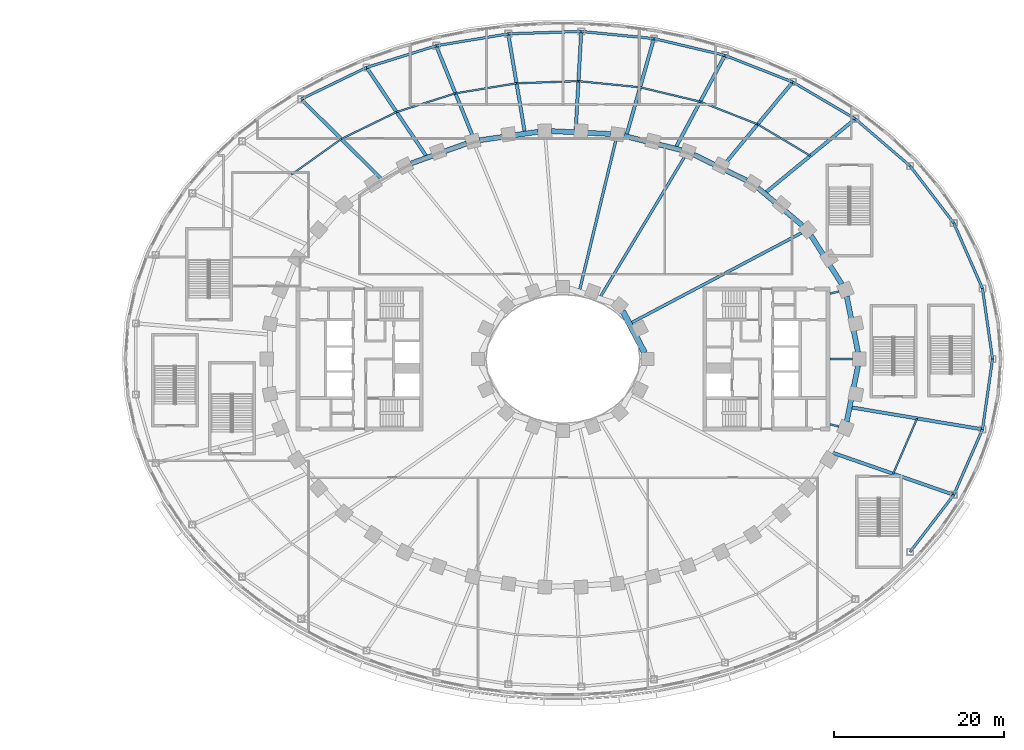
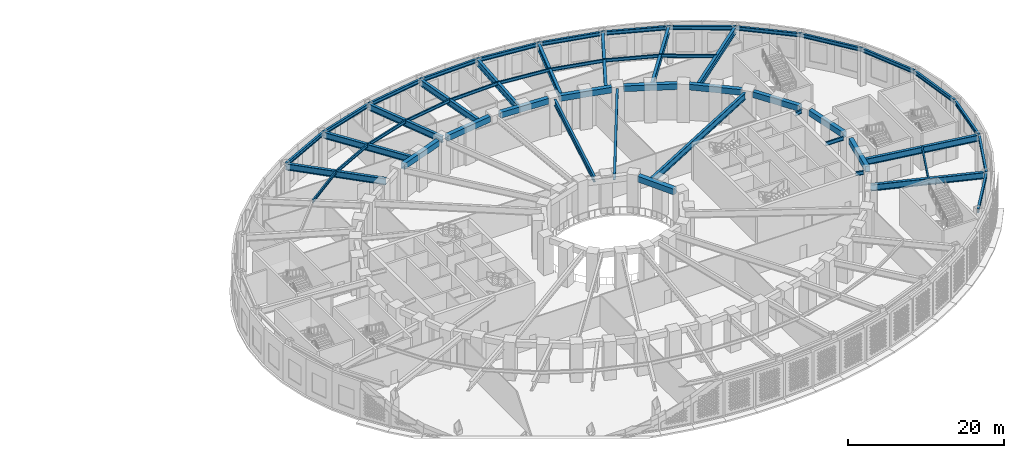
# One storey, part 13 of 74: 52 beams.
"""IFC4 building model written with IfcOpenShell, lengths in metres."""

from ifc_helpers import new_model, si_unit, direction, frame, origin, origin_2d, place, context, subcontext, project, spatial, rectangle, i_section, extrude, material, material_profile, profile_set, type_object, element, save


model = new_model("IFC4")

# Units and contexts
model_context = context("Model", 3, precision=1e-05, world=origin(), true_north=direction((0.0, 1.0)))
body_context = subcontext(model_context, "Body", "Model", "MODEL_VIEW")
ifc_project = project(units=[si_unit("LENGTHUNIT", "METRE"), si_unit("AREAUNIT", "SQUARE_METRE"), si_unit("VOLUMEUNIT", "CUBIC_METRE"), si_unit("PLANEANGLEUNIT", "RADIAN"), si_unit("MASSUNIT", "GRAM", prefix="KILO")], contexts=[model_context])

# Site, building, storey
site_placement = place(None, origin())
site = spatial("IfcSite", under=ifc_project, at=site_placement, CompositionType="ELEMENT")
building_placement = place(site_placement, origin())
building = spatial("IfcBuilding", under=site, at=building_placement, Name="Noorbagh Ring Tower", CompositionType="ELEMENT")
storey_placement = place(building_placement, frame((0.0, 0.0, 13.5)))
storey = spatial("IfcBuildingStorey", under=building, at=storey_placement, Name="L02", CompositionType="ELEMENT", Elevation=13.5)

# Beams
ifc_material_1 = material(Name="Steel S355", Category="steel")
ifc_material_profile_1 = material_profile(ifc_material_1, i_section(OverallWidth=0.300048828125, OverallDepth=0.60009765625, WebThickness=0.015380859375, FlangeThickness=0.030029296875, FilletRadius=0.027099609375, at=origin_2d()), Name="HEB600")
ifc_profile_set_1 = profile_set([ifc_material_profile_1], Name="Steel S355")
beam_type_1 = type_object("IfcBeamType", Name="GND-EDGE-BEAM-HEB600", PredefinedType="BEAM", material=ifc_profile_set_1)
beam_1_placement = place(storey_placement, frame((50.646484375, 0.0, 5.449951171875), z_axis=(-0.14132764164, 0.989962876934, 0.0), x_axis=(-0.989962876934, -0.14132764164, 0.0)))
element("IfcBeam", 1, at=beam_1_placement, inside=storey, type_object=beam_type_1, Name="L02/bm/ERP-01", PredefinedType="BEAM", context=body_context, shape_type="SweptSolid", body=[
    extrude(i_section(OverallWidth=0.300048828125, OverallDepth=0.60009765625, WebThickness=0.015380859375, FlangeThickness=0.030029296875, FilletRadius=0.027099609375, at=origin_2d()), origin(), (0.0, 0.0, 1.0), 8.388671875),
])
beam_2_placement = place(storey_placement, frame((49.4609375, 8.304443359375, 5.449951171875), z_axis=(-0.401171506371, 0.916002959862, 0.0), x_axis=(-0.916002959862, -0.401171506371, 0.0)))
element("IfcBeam", 2, at=beam_2_placement, inside=storey, type_object=beam_type_1, Name="L02/bm/ERP-02", PredefinedType="BEAM", context=body_context, shape_type="SweptSolid", body=[
    extrude(i_section(OverallWidth=0.300048828125, OverallDepth=0.60009765625, WebThickness=0.015380859375, FlangeThickness=0.030029296875, FilletRadius=0.027099609375, at=origin_2d()), origin(), (0.0, 0.0, 1.0), 8.42431640625),
])
beam_3_placement = place(storey_placement, frame((46.081298828125, 16.021240234375, 5.449951171875), z_axis=(-0.608048680374, 0.793899743227, 0.0), x_axis=(-0.793899743227, -0.608048680374, 0.0)))
element("IfcBeam", 3, at=beam_3_placement, inside=storey, type_object=beam_type_1, Name="L02/bm/ERP-03", PredefinedType="BEAM", context=body_context, shape_type="SweptSolid", body=[
    extrude(i_section(OverallWidth=0.300048828125, OverallDepth=0.60009765625, WebThickness=0.015380859375, FlangeThickness=0.030029296875, FilletRadius=0.027099609375, at=origin_2d()), origin(), (0.0, 0.0, 1.0), 8.4755859375),
])
beam_4_placement = place(storey_placement, frame((40.927734375, 22.75, 5.449951171875), z_axis=(-0.758254861469, 0.651958254076, 0.0), x_axis=(-0.651958254076, -0.758254861469, 0.0)))
element("IfcBeam", 4, at=beam_4_placement, inside=storey, type_object=beam_type_1, Name="L02/bm/ERP-04", PredefinedType="BEAM", context=body_context, shape_type="SweptSolid", body=[
    extrude(i_section(OverallWidth=0.300048828125, OverallDepth=0.60009765625, WebThickness=0.015380859375, FlangeThickness=0.030029296875, FilletRadius=0.027099609375, at=origin_2d()), origin(), (0.0, 0.0, 1.0), 8.5234375),
])
beam_5_placement = place(storey_placement, frame((34.46484375, 28.306884765625, 5.449951171875), z_axis=(-0.8618652907, 0.507137279922, 0.0), x_axis=(-0.507137279922, -0.8618652907, 0.0)))
element("IfcBeam", 5, at=beam_5_placement, inside=storey, type_object=beam_type_1, Name="L02/bm/ERP-05", PredefinedType="BEAM", context=body_context, shape_type="SweptSolid", body=[
    extrude(i_section(OverallWidth=0.300048828125, OverallDepth=0.60009765625, WebThickness=0.015380859375, FlangeThickness=0.030029296875, FilletRadius=0.027099609375, at=origin_2d()), origin(), (0.0, 0.0, 1.0), 8.560302734375),
])
beam_6_placement = place(storey_placement, frame((27.0869140625, 32.648193359375, 5.449951171875), z_axis=(-0.930571668723, 0.366109777758, 0.0), x_axis=(-0.366109777758, -0.930571668723, 0.0)))
element("IfcBeam", 6, at=beam_6_placement, inside=storey, type_object=beam_type_1, Name="L02/bm/ERP-06", PredefinedType="BEAM", context=body_context, shape_type="SweptSolid", body=[
    extrude(i_section(OverallWidth=0.300048828125, OverallDepth=0.60009765625, WebThickness=0.015380859375, FlangeThickness=0.030029296875, FilletRadius=0.027099609375, at=origin_2d()), origin(), (0.0, 0.0, 1.0), 8.58642578125),
])
beam_7_placement = place(storey_placement, frame((19.0966796875, 35.791748046875, 5.449951171875), z_axis=(-0.973167977411, 0.230095822957, 0.0), x_axis=(-0.230095822957, -0.973167977411, 0.0)))
element("IfcBeam", 7, at=beam_7_placement, inside=storey, type_object=beam_type_1, Name="L02/bm/ERP-07", PredefinedType="BEAM", context=body_context, shape_type="SweptSolid", body=[
    extrude(i_section(OverallWidth=0.300048828125, OverallDepth=0.60009765625, WebThickness=0.015380859375, FlangeThickness=0.030029296875, FilletRadius=0.027099609375, at=origin_2d()), origin(), (0.0, 0.0, 1.0), 8.602783203125),
])
beam_8_placement = place(storey_placement, frame((10.724609375, 37.771240234375, 5.449951171875), z_axis=(-0.9951967317, 0.097895174616, 0.0), x_axis=(-0.097895174616, -0.9951967317, 0.0)))
element("IfcBeam", 8, at=beam_8_placement, inside=storey, type_object=beam_type_1, Name="L02/bm/ERP-08", PredefinedType="BEAM", context=body_context, shape_type="SweptSolid", body=[
    extrude(i_section(OverallWidth=0.300048828125, OverallDepth=0.60009765625, WebThickness=0.015380859375, FlangeThickness=0.030029296875, FilletRadius=0.027099609375, at=origin_2d()), origin(), (0.0, 0.0, 1.0), 8.611328125),
])
beam_9_placement = place(storey_placement, frame((2.154541015625, 38.6142578125, 5.449951171875), z_axis=(-0.999468589483, -0.032596604688, 0.0), x_axis=(0.032596604688, -0.999468589483, 0.0)))
element("IfcBeam", 9, at=beam_9_placement, inside=storey, type_object=beam_type_1, Name="L02/bm/ERP-09", PredefinedType="BEAM", context=body_context, shape_type="SweptSolid", body=[
    extrude(i_section(OverallWidth=0.300048828125, OverallDepth=0.60009765625, WebThickness=0.015380859375, FlangeThickness=0.030029296875, FilletRadius=0.027099609375, at=origin_2d()), origin(), (0.0, 0.0, 1.0), 8.61328125),
])
beam_10_placement = place(storey_placement, frame((-6.4541015625, 38.33349609375, 5.449951171875), z_axis=(-0.986523163949, -0.163621658075, 0.0), x_axis=(0.163621658075, -0.986523163949, 0.0)))
element("IfcBeam", 10, at=beam_10_placement, inside=storey, type_object=beam_type_1, Name="L02/bm/ERP-10", PredefinedType="BEAM", context=body_context, shape_type="SweptSolid", body=[
    extrude(i_section(OverallWidth=0.300048828125, OverallDepth=0.60009765625, WebThickness=0.015380859375, FlangeThickness=0.030029296875, FilletRadius=0.027099609375, at=origin_2d()), origin(), (0.0, 0.0, 1.0), 8.60791015625),
])
beam_11_placement = place(storey_placement, frame((-14.946044921875, 36.925048828125, 5.449951171875), z_axis=(-0.954717204091, -0.297514806713, 0.0), x_axis=(0.297514806713, -0.954717204091, 0.0)))
element("IfcBeam", 11, at=beam_11_placement, inside=storey, type_object=beam_type_1, Name="L02/bm/ERP-11", PredefinedType="BEAM", context=body_context, shape_type="SweptSolid", body=[
    extrude(i_section(OverallWidth=0.300048828125, OverallDepth=0.60009765625, WebThickness=0.015380859375, FlangeThickness=0.030029296875, FilletRadius=0.027099609375, at=origin_2d()), origin(), (0.0, 0.0, 1.0), 8.595703125),
])
beam_12_placement = place(storey_placement, frame((-23.152587890625, 34.36767578125, 5.449951171875), z_axis=(-0.89994920641, -0.435994754421, 0.0), x_axis=(0.435994754421, -0.89994920641, 0.0)))
element("IfcBeam", 12, at=beam_12_placement, inside=storey, type_object=beam_type_1, Name="L02/bm/ERP-12", PredefinedType="BEAM", context=body_context, shape_type="SweptSolid", body=[
    extrude(i_section(OverallWidth=0.300048828125, OverallDepth=0.60009765625, WebThickness=0.015380859375, FlangeThickness=0.030029296875, FilletRadius=0.027099609375, at=origin_2d()), origin(), (0.0, 0.0, 1.0), 8.57470703125),
])
beam_13_placement = place(storey_placement, frame((40.927734375, -22.75, 5.449951171875), z_axis=(0.608048680374, 0.793899743227, 0.0), x_axis=(-0.793899743227, 0.608048680374, 0.0)))
element("IfcBeam", 13, at=beam_13_placement, inside=storey, type_object=beam_type_1, Name="L02/bm/ERP-31", PredefinedType="BEAM", context=body_context, shape_type="SweptSolid", body=[
    extrude(i_section(OverallWidth=0.300048828125, OverallDepth=0.60009765625, WebThickness=0.015380859375, FlangeThickness=0.030029296875, FilletRadius=0.027099609375, at=origin_2d()), origin(), (0.0, 0.0, 1.0), 8.4755859375),
])
beam_14_placement = place(storey_placement, frame((46.081298828125, -16.021240234375, 5.449951171875), z_axis=(0.401171506371, 0.916002959862, 0.0), x_axis=(-0.916002959862, 0.401171506371, 0.0)))
element("IfcBeam", 14, at=beam_14_placement, inside=storey, type_object=beam_type_1, Name="L02/bm/ERP-32", PredefinedType="BEAM", context=body_context, shape_type="SweptSolid", body=[
    extrude(i_section(OverallWidth=0.300048828125, OverallDepth=0.60009765625, WebThickness=0.015380859375, FlangeThickness=0.030029296875, FilletRadius=0.027099609375, at=origin_2d()), origin(), (0.0, 0.0, 1.0), 8.42431640625),
])
beam_15_placement = place(storey_placement, frame((49.4609375, -8.304443359375, 5.449951171875), z_axis=(0.14132764164, 0.989962876934, 0.0), x_axis=(-0.989962876934, 0.14132764164, 0.0)))
element("IfcBeam", 15, at=beam_15_placement, inside=storey, type_object=beam_type_1, Name="L02/bm/ERP-33", PredefinedType="BEAM", context=body_context, shape_type="SweptSolid", body=[
    extrude(i_section(OverallWidth=0.300048828125, OverallDepth=0.60009765625, WebThickness=0.015380859375, FlangeThickness=0.030029296875, FilletRadius=0.027099609375, at=origin_2d()), origin(), (0.0, 0.0, 1.0), 8.388671875),
])
ifc_material_2 = material(Name="Steel S355", Category="steel")
ifc_material_profile_2 = material_profile(ifc_material_2, i_section(OverallWidth=0.39990234375, OverallDepth=1.0, WebThickness=0.01611328125, FlangeThickness=0.0400390625, at=origin_2d()), Name="PG1000x400x16x40")
ifc_profile_set_2 = profile_set([ifc_material_profile_2], Name="Steel S355")
beam_type_2 = type_object("IfcBeamType", Name="GND-GIRDER-PG1000x400x16x40", PredefinedType="BEAM", material=ifc_profile_set_2)
beam_16_placement = place(storey_placement, frame((34.46484375, 28.306884765625, 5.25), z_axis=(-0.772763025599, -0.63469465593, 0.0), x_axis=(0.63469465593, -0.772763025599, 0.0)))
element("IfcBeam", 16, at=beam_16_placement, inside=storey, type_object=beam_type_2, Name="L02/bm/GRP-05", PredefinedType="BEAM", context=body_context, shape_type="SweptSolid", body=[
    extrude(i_section(OverallWidth=0.39990234375, OverallDepth=1.0, WebThickness=0.01611328125, FlangeThickness=0.0400390625, at=origin_2d()), origin(), (0.0, 0.0, 1.0), 13.723388671875),
])
beam_17_placement = place(storey_placement, frame((27.0869140625, 32.648193359375, 5.25), z_axis=(-0.638516852805, -0.769607840841, 0.0), x_axis=(0.769607840841, -0.638516852805, 0.0)))
element("IfcBeam", 17, at=beam_17_placement, inside=storey, type_object=beam_type_2, Name="L02/bm/GRP-06", PredefinedType="BEAM", context=body_context, shape_type="SweptSolid", body=[
    extrude(i_section(OverallWidth=0.39990234375, OverallDepth=1.0, WebThickness=0.01611328125, FlangeThickness=0.0400390625, at=origin_2d()), origin(), (0.0, 0.0, 1.0), 12.943603515625),
])
beam_18_placement = place(storey_placement, frame((19.0966796875, 35.791748046875, 5.25), z_axis=(-0.470746944877, -0.88226827773, 0.0), x_axis=(0.88226827773, -0.470746944877, 0.0)))
element("IfcBeam", 18, at=beam_18_placement, inside=storey, type_object=beam_type_2, Name="L02/bm/GRP-07", PredefinedType="BEAM", context=body_context, shape_type="SweptSolid", body=[
    extrude(i_section(OverallWidth=0.39990234375, OverallDepth=1.0, WebThickness=0.01611328125, FlangeThickness=0.0400390625, at=origin_2d()), origin(), (0.0, 0.0, 1.0), 12.375),
])
beam_19_placement = place(storey_placement, frame((10.724609375, 37.771240234375, 5.25), z_axis=(-0.273130016452, -0.961977127645, 0.0), x_axis=(0.961977127645, -0.273130016452, 0.0)))
element("IfcBeam", 19, at=beam_19_placement, inside=storey, type_object=beam_type_2, Name="L02/bm/GRP-08", PredefinedType="BEAM", context=body_context, shape_type="SweptSolid", body=[
    extrude(i_section(OverallWidth=0.39990234375, OverallDepth=1.0, WebThickness=0.01611328125, FlangeThickness=0.0400390625, at=origin_2d()), origin(), (0.0, 0.0, 1.0), 11.939208984375),
])
beam_20_placement = place(storey_placement, frame((2.154541015625, 38.6142578125, 5.25), z_axis=(-0.055716608816, -0.998446623261, 0.0), x_axis=(0.998446623261, -0.055716608816, 0.0)))
element("IfcBeam", 20, at=beam_20_placement, inside=storey, type_object=beam_type_2, Name="L02/bm/GRP-09", PredefinedType="BEAM", context=body_context, shape_type="SweptSolid", body=[
    extrude(i_section(OverallWidth=0.39990234375, OverallDepth=1.0, WebThickness=0.01611328125, FlangeThickness=0.0400390625, at=origin_2d()), origin(), (0.0, 0.0, 1.0), 11.734619140625),
])
beam_21_placement = place(storey_placement, frame((-6.4541015625, 38.33349609375, 5.25), z_axis=(0.166032765637, -0.986120236449, 0.0), x_axis=(0.986120236449, 0.166032765637, 0.0)))
element("IfcBeam", 21, at=beam_21_placement, inside=storey, type_object=beam_type_2, Name="L02/bm/GRP-10", PredefinedType="BEAM", context=body_context, shape_type="SweptSolid", body=[
    extrude(i_section(OverallWidth=0.39990234375, OverallDepth=1.0, WebThickness=0.01611328125, FlangeThickness=0.0400390625, at=origin_2d()), origin(), (0.0, 0.0, 1.0), 11.82373046875),
])
beam_22_placement = place(storey_placement, frame((-14.946044921875, 36.925048828125, 5.25), z_axis=(0.375201842514, -0.926943135998, 0.0), x_axis=(0.926943135998, 0.375201842514, 0.0)))
element("IfcBeam", 22, at=beam_22_placement, inside=storey, type_object=beam_type_2, Name="L02/bm/GRP-11", PredefinedType="BEAM", context=body_context, shape_type="SweptSolid", body=[
    extrude(i_section(OverallWidth=0.39990234375, OverallDepth=1.0, WebThickness=0.01611328125, FlangeThickness=0.0400390625, at=origin_2d()), origin(), (0.0, 0.0, 1.0), 12.094970703125),
])
beam_23_placement = place(storey_placement, frame((-23.152587890625, 34.36767578125, 5.25), z_axis=(0.558711358029, -0.829362175656, 0.0), x_axis=(0.829362175656, 0.558711358029, 0.0)))
element("IfcBeam", 23, at=beam_23_placement, inside=storey, type_object=beam_type_2, Name="L02/bm/GRP-12", PredefinedType="BEAM", context=body_context, shape_type="SweptSolid", body=[
    extrude(i_section(OverallWidth=0.39990234375, OverallDepth=1.0, WebThickness=0.01611328125, FlangeThickness=0.0400390625, at=origin_2d()), origin(), (0.0, 0.0, 1.0), 12.6630859375),
])
beam_24_placement = place(storey_placement, frame((-30.869384765625, 30.629150390625, 5.25), z_axis=(0.70986613718, -0.704336615039, 0.0), x_axis=(0.704336615039, 0.70986613718, 0.0)))
element("IfcBeam", 24, at=beam_24_placement, inside=storey, type_object=beam_type_2, Name="L02/bm/GRP-13", PredefinedType="BEAM", context=body_context, shape_type="SweptSolid", body=[
    extrude(i_section(OverallWidth=0.39990234375, OverallDepth=1.0, WebThickness=0.01611328125, FlangeThickness=0.0400390625, at=origin_2d()), origin(), (0.0, 0.0, 1.0), 13.333984375),
])
beam_25_placement = place(storey_placement, frame((46.081298828125, -16.021240234375, 5.25), z_axis=(-0.94453989429, 0.328396693185, 0.0), x_axis=(-0.328396693185, -0.94453989429, 0.0)))
element("IfcBeam", 25, at=beam_25_placement, inside=storey, type_object=beam_type_2, Name="L02/bm/GRP-32", PredefinedType="BEAM", context=body_context, shape_type="SweptSolid", body=[
    extrude(i_section(OverallWidth=0.39990234375, OverallDepth=1.0, WebThickness=0.01611328125, FlangeThickness=0.0400390625, at=origin_2d()), origin(), (0.0, 0.0, 1.0), 15.12890625),
])
beam_26_placement = place(storey_placement, frame((49.4609375, -8.304443359375, 5.25), z_axis=(-0.986194768087, 0.165589490602, 0.0), x_axis=(-0.165589490602, -0.986194768087, 0.0)))
element("IfcBeam", 26, at=beam_26_placement, inside=storey, type_object=beam_type_2, Name="L02/bm/GRP-33", PredefinedType="BEAM", context=body_context, shape_type="SweptSolid", body=[
    extrude(i_section(OverallWidth=0.39990234375, OverallDepth=1.0, WebThickness=0.01611328125, FlangeThickness=0.0400390625, at=origin_2d()), origin(), (0.0, 0.0, 1.0), 15.62841796875),
])
ifc_material_3 = material(Name="Steel S355", Category="steel")
ifc_material_profile_3 = material_profile(ifc_material_3, i_section(OverallWidth=0.199951171875, OverallDepth=0.5, WebThickness=0.01025390625, FlangeThickness=0.01611328125, FilletRadius=0.02099609375, at=origin_2d()), Name="IPE500")
ifc_profile_set_3 = profile_set([ifc_material_profile_3], Name="Steel S355")
beam_type_3 = type_object("IfcBeamType", Name="GND-MID-BEAM-IPE500", PredefinedType="JOIST", material=ifc_profile_set_3)
beam_27_placement = place(storey_placement, frame((29.162353515625, 23.951904296875, 5.5), z_axis=(-0.858046251749, 0.513572419293, 0.0), x_axis=(-0.513572419293, -0.858046251749, 0.0)))
element("IfcBeam", 27, at=beam_27_placement, inside=storey, type_object=beam_type_3, Name="L02/bm/MRP-05", PredefinedType="JOIST", context=body_context, shape_type="SweptSolid", body=[
    extrude(i_section(OverallWidth=0.199951171875, OverallDepth=0.5, WebThickness=0.01025390625, FlangeThickness=0.01611328125, FilletRadius=0.02099609375, at=origin_2d()), origin(), (0.0, 0.0, 1.0), 7.23486328125),
])
beam_28_placement = place(storey_placement, frame((22.95458984375, 27.66748046875, 5.5), z_axis=(-0.930496782909, 0.36630006415, 0.0), x_axis=(-0.36630006415, -0.930496782909, 0.0)))
element("IfcBeam", 28, at=beam_28_placement, inside=storey, type_object=beam_type_3, Name="L02/bm/MRP-06", PredefinedType="JOIST", context=body_context, shape_type="SweptSolid", body=[
    extrude(i_section(OverallWidth=0.199951171875, OverallDepth=0.5, WebThickness=0.01025390625, FlangeThickness=0.01611328125, FilletRadius=0.02099609375, at=origin_2d()), origin(), (0.0, 0.0, 1.0), 7.276123046875),
])
beam_29_placement = place(storey_placement, frame((16.18408203125, 30.332763671875, 5.5), z_axis=(-0.972568186564, 0.23261797541, 0.0), x_axis=(-0.23261797541, -0.972568186564, 0.0)))
element("IfcBeam", 29, at=beam_29_placement, inside=storey, type_object=beam_type_3, Name="L02/bm/MRP-07", PredefinedType="JOIST", context=body_context, shape_type="SweptSolid", body=[
    extrude(i_section(OverallWidth=0.199951171875, OverallDepth=0.5, WebThickness=0.01025390625, FlangeThickness=0.01611328125, FilletRadius=0.02099609375, at=origin_2d()), origin(), (0.0, 0.0, 1.0), 7.2900390625),
])
beam_30_placement = place(storey_placement, frame((9.093994140625, 32.028564453125, 5.5), z_axis=(-0.99502493545, 0.099626190493, 0.0), x_axis=(-0.099626190493, -0.99502493545, 0.0)))
element("IfcBeam", 30, at=beam_30_placement, inside=storey, type_object=beam_type_3, Name="L02/bm/MRP-08", PredefinedType="JOIST", context=body_context, shape_type="SweptSolid", body=[
    extrude(i_section(OverallWidth=0.199951171875, OverallDepth=0.5, WebThickness=0.01025390625, FlangeThickness=0.01611328125, FilletRadius=0.02099609375, at=origin_2d()), origin(), (0.0, 0.0, 1.0), 7.302734375),
])
beam_31_placement = place(storey_placement, frame((1.82763671875, 32.756103515625, 5.5), z_axis=(-0.999402620435, -0.034560125398, 0.0), x_axis=(0.034560125398, -0.999402620435, 0.0)))
element("IfcBeam", 31, at=beam_31_placement, inside=storey, type_object=beam_type_3, Name="L02/bm/MRP-09", PredefinedType="JOIST", context=body_context, shape_type="SweptSolid", body=[
    extrude(i_section(OverallWidth=0.199951171875, OverallDepth=0.5, WebThickness=0.01025390625, FlangeThickness=0.01611328125, FilletRadius=0.02099609375, at=origin_2d()), origin(), (0.0, 0.0, 1.0), 7.304443359375),
])
beam_32_placement = place(storey_placement, frame((-5.472412109375, 32.503662109375, 5.5), z_axis=(-0.986756598534, -0.162207938309, 0.0), x_axis=(0.162207938309, -0.986756598534, 0.0)))
element("IfcBeam", 32, at=beam_32_placement, inside=storey, type_object=beam_type_3, Name="L02/bm/MRP-10", PredefinedType="JOIST", context=body_context, shape_type="SweptSolid", body=[
    extrude(i_section(OverallWidth=0.199951171875, OverallDepth=0.5, WebThickness=0.01025390625, FlangeThickness=0.01611328125, FilletRadius=0.02099609375, at=origin_2d()), origin(), (0.0, 0.0, 1.0), 7.30126953125),
])
beam_33_placement = place(storey_placement, frame((-12.677001953125, 31.3193359375, 5.5), z_axis=(-0.9531202752, -0.302591706765, 0.0), x_axis=(0.302591706765, -0.9531202752, 0.0)))
element("IfcBeam", 33, at=beam_33_placement, inside=storey, type_object=beam_type_3, Name="L02/bm/MRP-11", PredefinedType="JOIST", context=body_context, shape_type="SweptSolid", body=[
    extrude(i_section(OverallWidth=0.199951171875, OverallDepth=0.5, WebThickness=0.01025390625, FlangeThickness=0.01611328125, FilletRadius=0.02099609375, at=origin_2d()), origin(), (0.0, 0.0, 1.0), 7.279296875),
])
beam_34_placement = place(storey_placement, frame((-19.614990234375, 29.11669921875, 5.5), z_axis=(-0.898658812704, -0.438648308271, 0.0), x_axis=(0.438648308271, -0.898658812704, 0.0)))
element("IfcBeam", 34, at=beam_34_placement, inside=storey, type_object=beam_type_3, Name="L02/bm/MRP-12", PredefinedType="JOIST", context=body_context, shape_type="SweptSolid", body=[
    extrude(i_section(OverallWidth=0.199951171875, OverallDepth=0.5, WebThickness=0.01025390625, FlangeThickness=0.01611328125, FilletRadius=0.02099609375, at=origin_2d()), origin(), (0.0, 0.0, 1.0), 7.257080078125),
])
beam_35_placement = place(storey_placement, frame((-26.13671875, 25.933349609375, 5.5), z_axis=(-0.813381743113, -0.581730298308, 0.0), x_axis=(0.581730298308, -0.813381743113, 0.0)))
element("IfcBeam", 35, at=beam_35_placement, inside=storey, type_object=beam_type_3, Name="L02/bm/MRP-13", PredefinedType="JOIST", context=body_context, shape_type="SweptSolid", body=[
    extrude(i_section(OverallWidth=0.199951171875, OverallDepth=0.5, WebThickness=0.01025390625, FlangeThickness=0.01611328125, FilletRadius=0.02099609375, at=origin_2d()), origin(), (0.0, 0.0, 1.0), 7.2255859375),
])
beam_36_placement = place(storey_placement, frame((38.936279296875, -13.537109375, 5.5), z_axis=(0.396441936779, 0.918059796943, 0.0), x_axis=(-0.918059796943, 0.396441936779, 0.0)))
element("IfcBeam", 36, at=beam_36_placement, inside=storey, type_object=beam_type_3, Name="L02/bm/MRP-32", PredefinedType="JOIST", context=body_context, shape_type="SweptSolid", body=[
    extrude(i_section(OverallWidth=0.199951171875, OverallDepth=0.5, WebThickness=0.01025390625, FlangeThickness=0.01611328125, FilletRadius=0.02099609375, at=origin_2d()), origin(), (0.0, 0.0, 1.0), 7.109130859375),
])
ifc_material_4 = material(Name="Steel S355", Category="steel")
ifc_material_profile_4 = material_profile(ifc_material_4, i_section(OverallWidth=0.219970703125, OverallDepth=0.60009765625, WebThickness=0.011962890625, FlangeThickness=0.01904296875, FilletRadius=0.02392578125, at=origin_2d()), Name="IPE600")
ifc_profile_set_4 = profile_set([ifc_material_profile_4], Name="Steel S355")
beam_type_4 = type_object("IfcBeamType", Name="STR-RAD-IPE600", PredefinedType="BEAM", material=ifc_profile_set_4)
beam_37_placement = place(storey_placement, frame((34.164794921875, 0.0, 5.449951171875), z_axis=(-1.0, 0.0, 0.0), x_axis=(0.0, -1.0, 0.0)))
element("IfcBeam", 37, at=beam_37_placement, inside=storey, type_object=beam_type_4, Name="L02/bm/RD01", PredefinedType="BEAM", context=body_context, shape_type="SweptSolid", body=[
    extrude(i_section(OverallWidth=0.219970703125, OverallDepth=0.60009765625, WebThickness=0.011962890625, FlangeThickness=0.01904296875, FilletRadius=0.02392578125, at=origin_2d()), origin(), (0.0, 0.0, 1.0), 2.684814453125),
])
for number, where, z_axis, x_axis, name in (
    (38, (32.538818359375, 7.9619140625, 5.449951171875), (-0.971330054052, -0.237734991315, 0.0), (0.237734991315, -0.971330054052, 0.0), "L02/bm/RD03"),
    (39, (32.538818359375, -7.9619140625, 5.449951171875), (-0.971330054052, 0.237734991315, 0.0), (-0.237734991315, -0.971330054052, 0.0), "L02/bm/RD45"),
):
    element("IfcBeam", number, at=place(storey_placement, frame(where, z_axis=z_axis, x_axis=x_axis)), inside=storey, type_object=beam_type_4, Name=name, PredefinedType="BEAM", context=body_context, shape_type="SweptSolid", body=[
        extrude(i_section(OverallWidth=0.219970703125, OverallDepth=0.60009765625, WebThickness=0.011962890625, FlangeThickness=0.01904296875, FilletRadius=0.02392578125, at=origin_2d()), origin(), (0.0, 0.0, 1.0), 1.089599609375),
    ])
ifc_material_5 = material(Name="Steel S355", Category="steel")
ifc_material_profile_5 = material_profile(ifc_material_5, i_section(OverallWidth=0.35009765625, OverallDepth=1.050048828125, WebThickness=0.01806640625, FlangeThickness=0.033935546875, at=origin_2d()), Name="PG1050x350x18x34")
ifc_profile_set_5 = profile_set([ifc_material_profile_5], Name="Steel S355")
beam_type_5 = type_object("IfcBeamType", Name="STR-RAD-PG1050x350x18x34", PredefinedType="BEAM", material=ifc_profile_set_5)
beam_38_placement = place(storey_placement, frame((28.108642578125, 14.855224609375, 5.22509765625), z_axis=(-0.884121906441, -0.467256304988, 0.0), x_axis=(0.467256304988, -0.884121906441, 0.0)))
element("IfcBeam", 40, at=beam_38_placement, inside=storey, type_object=beam_type_5, Name="L02/bm/RD05", PredefinedType="BEAM", context=body_context, shape_type="SweptSolid", body=[
    extrude(i_section(OverallWidth=0.35009765625, OverallDepth=1.050048828125, WebThickness=0.01806640625, FlangeThickness=0.033935546875, at=origin_2d()), origin(), (0.0, 0.0, 1.0), 22.601806640625),
])
ifc_material_6 = material(Name="Steel S355", Category="steel")
ifc_material_profile_6 = material_profile(ifc_material_6, i_section(OverallWidth=0.320068359375, OverallDepth=0.949951171875, WebThickness=0.01611328125, FlangeThickness=0.030029296875, at=origin_2d()), Name="PG950x320x16x30")
ifc_profile_set_6 = profile_set([ifc_material_profile_6], Name="Steel S355")
beam_type_6 = type_object("IfcBeamType", Name="STR-RAD-PG950x320x16x30", PredefinedType="BEAM", material=ifc_profile_set_6)
beam_39_placement = place(storey_placement, frame((14.29931640625, 23.759033203125, 5.27490234375), z_axis=(-0.515655762899, -0.856795853275, 0.0), x_axis=(0.856795853275, -0.515655762899, 0.0)))
element("IfcBeam", 41, at=beam_39_placement, inside=storey, type_object=beam_type_6, Name="L02/bm/RD09", PredefinedType="BEAM", context=body_context, shape_type="SweptSolid", body=[
    extrude(i_section(OverallWidth=0.320068359375, OverallDepth=0.949951171875, WebThickness=0.01611328125, FlangeThickness=0.030029296875, at=origin_2d()), origin(), (0.0, 0.0, 1.0), 19.0888671875),
])
beam_40_placement = place(storey_placement, frame((6.22509765625, 25.729248046875, 5.27490234375), z_axis=(-0.235155855534, -0.971957675832, 0.0), x_axis=(0.971957675832, -0.235155855534, 0.0)))
element("IfcBeam", 42, at=beam_40_placement, inside=storey, type_object=beam_type_6, Name="L02/bm/RD11", PredefinedType="BEAM", context=body_context, shape_type="SweptSolid", body=[
    extrude(i_section(OverallWidth=0.320068359375, OverallDepth=0.949951171875, WebThickness=0.01611328125, FlangeThickness=0.030029296875, at=origin_2d()), origin(), (0.0, 0.0, 1.0), 18.029541015625),
])
ifc_material_7 = material(Name="Concrete C40/50", Category="concrete")
ifc_material_profile_7 = material_profile(ifc_material_7, rectangle(XDim=0.699951171875, YDim=0.89990234375, at=origin_2d()), Name="RC700x900")
ifc_profile_set_7 = profile_set([ifc_material_profile_7], Name="Concrete C40/50")
beam_type_7 = type_object("IfcBeamType", Name="STR-RB-RC700x900-C40-50", PredefinedType="BEAM", material=ifc_profile_set_7)
beam_41_placement = place(storey_placement, frame((9.623779296875, 0.732177734375, 5.300048828125), z_axis=(-0.464916752751, 0.885354399668, 0.0), x_axis=(-0.885354399668, -0.464916752751, 0.0)))
element("IfcBeam", 43, at=beam_41_placement, inside=storey, type_object=beam_type_7, Name="L02/bm/RG01", PredefinedType="BEAM", context=body_context, shape_type="SweptSolid", body=[
    extrude(rectangle(XDim=0.699951171875, YDim=0.89990234375, at=origin_2d()), origin(), (0.0, 0.0, 1.0), 5.543701171875),
])
ifc_material_8 = material(Name="Concrete C40/50", Category="concrete")
ifc_material_profile_8 = material_profile(ifc_material_8, rectangle(XDim=0.60009765625, YDim=0.89990234375, at=origin_2d()), Name="RC600x900")
ifc_profile_set_8 = profile_set([ifc_material_profile_8], Name="Concrete C40/50")
beam_type_8 = type_object("IfcBeamType", Name="STR-SB-RC600x900-C40-50", PredefinedType="BEAM", material=ifc_profile_set_8)
beam_42_placement = place(storey_placement, frame((34.78759765625, 0.7802734375, 5.300048828125), z_axis=(-0.197212569156, 0.980360751238, 0.0), x_axis=(-0.980360751238, -0.197212569156, 0.0)))
element("IfcBeam", 44, at=beam_42_placement, inside=storey, type_object=beam_type_8, Name="L02/bm/SP01", PredefinedType="BEAM", context=body_context, shape_type="SweptSolid", body=[
    extrude(rectangle(XDim=0.60009765625, YDim=0.89990234375, at=origin_2d()), origin(), (0.0, 0.0, 1.0), 6.72216796875),
])
beam_43_placement = place(storey_placement, frame((32.881103515625, 8.81884765625, 5.300048828125), z_axis=(-0.535204111644, 0.844722770428, 0.0), x_axis=(-0.844722770428, -0.535204111644, 0.0)))
element("IfcBeam", 45, at=beam_43_placement, inside=storey, type_object=beam_type_8, Name="L02/bm/SP03", PredefinedType="BEAM", context=body_context, shape_type="SweptSolid", body=[
    extrude(rectangle(XDim=0.60009765625, YDim=0.89990234375, at=origin_2d()), origin(), (0.0, 0.0, 1.0), 6.800048828125),
])
beam_44_placement = place(storey_placement, frame((28.21728515625, 15.739990234375, 5.300048828125), z_axis=(-0.763029833708, 0.646363266957, 0.0), x_axis=(-0.646363266957, -0.763029833708, 0.0)))
element("IfcBeam", 46, at=beam_44_placement, inside=storey, type_object=beam_type_8, Name="L02/bm/SP05", PredefinedType="BEAM", context=body_context, shape_type="SweptSolid", body=[
    extrude(rectangle(XDim=0.60009765625, YDim=0.89990234375, at=origin_2d()), origin(), (0.0, 0.0, 1.0), 6.886962890625),
])
beam_45_placement = place(storey_placement, frame((21.65625, 21.044921875, 5.300048828125), z_axis=(-0.898397301801, 0.439183661031, 0.0), x_axis=(-0.439183661031, -0.898397301801, 0.0)))
element("IfcBeam", 47, at=beam_45_placement, inside=storey, type_object=beam_type_8, Name="L02/bm/SP07", PredefinedType="BEAM", context=body_context, shape_type="SweptSolid", body=[
    extrude(rectangle(XDim=0.60009765625, YDim=0.89990234375, at=origin_2d()), origin(), (0.0, 0.0, 1.0), 6.947509765625),
])
beam_46_placement = place(storey_placement, frame((13.9482421875, 24.62890625, 5.300048828125), z_axis=(-0.970827667704, 0.239778313491, 0.0), x_axis=(-0.239778313491, -0.970827667704, 0.0)))
element("IfcBeam", 48, at=beam_46_placement, inside=storey, type_object=beam_type_8, Name="L02/bm/SP09", PredefinedType="BEAM", context=body_context, shape_type="SweptSolid", body=[
    extrude(rectangle(XDim=0.60009765625, YDim=0.89990234375, at=origin_2d()), origin(), (0.0, 0.0, 1.0), 6.981689453125),
])
beam_47_placement = place(storey_placement, frame((5.62646484375, 26.528076171875, 5.300048828125), z_axis=(-0.998867742854, 0.047573440964, 0.0), x_axis=(-0.047573440964, -0.998867742854, 0.0)))
element("IfcBeam", 49, at=beam_47_placement, inside=storey, type_object=beam_type_8, Name="L02/bm/SP11", PredefinedType="BEAM", context=body_context, shape_type="SweptSolid", body=[
    extrude(rectangle(XDim=0.60009765625, YDim=0.89990234375, at=origin_2d()), origin(), (0.0, 0.0, 1.0), 6.99462890625),
])
beam_48_placement = place(storey_placement, frame((-2.9189453125, 26.785888671875, 5.300048828125), z_axis=(-0.989714845194, -0.143054273623, 0.0), x_axis=(0.143054273623, -0.989714845194, 0.0)))
element("IfcBeam", 50, at=beam_48_placement, inside=storey, type_object=beam_type_8, Name="L02/bm/SP13", PredefinedType="BEAM", context=body_context, shape_type="SweptSolid", body=[
    extrude(rectangle(XDim=0.60009765625, YDim=0.89990234375, at=origin_2d()), origin(), (0.0, 0.0, 1.0), 6.990234375),
])
beam_49_placement = place(storey_placement, frame((-11.351318359375, 25.408203125, 5.300048828125), z_axis=(-0.941030272182, -0.338322371175, 0.0), x_axis=(0.338322371175, -0.941030272182, 0.0)))
element("IfcBeam", 51, at=beam_49_placement, inside=storey, type_object=beam_type_8, Name="L02/bm/SP15", PredefinedType="BEAM", context=body_context, shape_type="SweptSolid", body=[
    extrude(rectangle(XDim=0.60009765625, YDim=0.89990234375, at=origin_2d()), origin(), (0.0, 0.0, 1.0), 6.96728515625),
])
beam_50_placement = place(storey_placement, frame((33.4619140625, -7.370361328125, 5.300048828125), z_axis=(0.197212569156, 0.980360751238, 0.0), x_axis=(-0.980360751238, 0.197212569156, 0.0)))
element("IfcBeam", 52, at=beam_50_placement, inside=storey, type_object=beam_type_8, Name="L02/bm/SP45", PredefinedType="BEAM", context=body_context, shape_type="SweptSolid", body=[
    extrude(rectangle(XDim=0.60009765625, YDim=0.89990234375, at=origin_2d()), origin(), (0.0, 0.0, 1.0), 6.72216796875),
])

save(model, "model.ifc")
